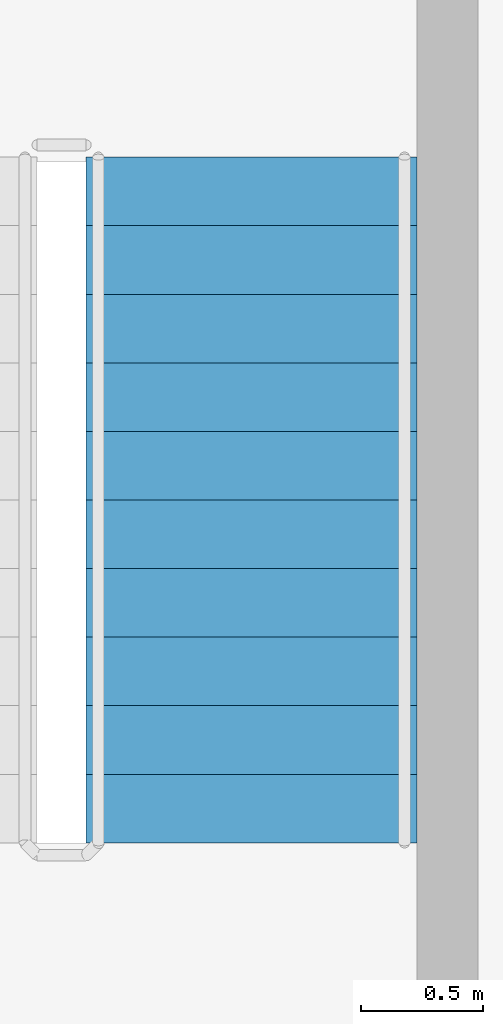
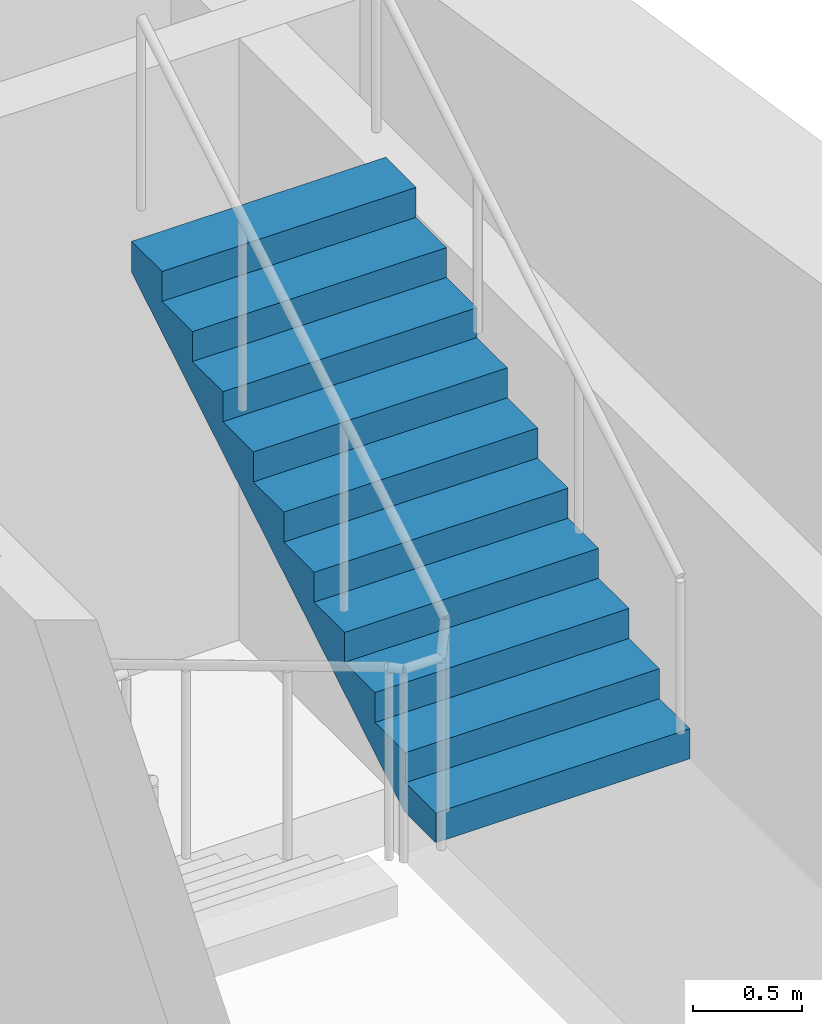
# One storey, part 7 of 13: 1 stair flight, 1 element without a shape of its own.
"""IFC4 building model written with IfcOpenShell, lengths in metres."""

from ifc_helpers import new_model, si_unit, direction, frame, origin, place, context, subcontext, project, spatial, polyline, outline, extrude, material, type_object, element, aggregate, save


model = new_model("IFC4")

# Units and contexts
model_context = context("Model", 3, precision=1e-05, world=origin(), true_north=direction((0.0, 1.0)))
body_context = subcontext(model_context, "Body", "Model", "MODEL_VIEW")
ifc_project = project(units=[si_unit("LENGTHUNIT", "METRE"), si_unit("AREAUNIT", "SQUARE_METRE"), si_unit("VOLUMEUNIT", "CUBIC_METRE"), si_unit("PLANEANGLEUNIT", "RADIAN"), si_unit("MASSUNIT", "GRAM", prefix="KILO")], contexts=[model_context])

# Site, building, storey
site_placement = place(None, origin())
site = spatial("IfcSite", under=ifc_project, at=site_placement, CompositionType="ELEMENT")
building_placement = place(site_placement, origin())
building = spatial("IfcBuilding", under=site, at=building_placement, Name="Candeia Pilgrim Tower and Theatre", CompositionType="ELEMENT")
storey_placement = place(building_placement, frame((0.0, 0.0, 262.699951171875)))
storey = spatial("IfcBuildingStorey", under=building, at=storey_placement, Name="L63", CompositionType="ELEMENT", Elevation=262.699951171875)

# Stair, stair flight
ifc_material = material(Name="Concrete C40/50", Category="concrete")
stair_type = type_object("IfcStairType", Name="ST-TWR dog-leg escape stair", PredefinedType="HALF_TURN_STAIR", material=ifc_material)
stair_placement = place(storey_placement, origin())
stair = element("IfcStair", 1, at=stair_placement, inside=storey, type_object=stair_type, Name="L63 Escape stair ST4", PredefinedType="HALF_TURN_STAIR")
stair_flight_type = type_object("IfcStairFlightType", Name="SFL-RC stair flight", PredefinedType="STRAIGHT", material=ifc_material)
stair_flight_placement = place(storey_placement, frame((136.322998046875, 126.925048828125, 1.85009765625), z_axis=(0.0, 0.0, 1.0), x_axis=(0.0, 1.0, 0.0)))
stair_flight = element("IfcStairFlight", 2, at=stair_flight_placement, type_object=stair_flight_type, Name="ST4 flight 2", NumberOfRisers=11, NumberOfTreads=10, PredefinedType="STRAIGHT", RiserHeight=0.168181818, TreadLength=0.28, context=body_context, shape_type="SweptSolid", body=[
    extrude(outline(polyline([(0.0, 0.0), (0.0, 0.168212890625), (0.280029296875, 0.168212890625), (0.280029296875, 0.33642578125), (0.56005859375, 0.33642578125), (0.56005859375, 0.504638671875), (0.840087890625, 0.504638671875), (0.840087890625, 0.672607421875), (1.1201171875, 0.672607421875), (1.1201171875, 0.8408203125), (1.39990234375, 0.8408203125), (1.39990234375, 1.009033203125), (1.679931640625, 1.009033203125), (1.679931640625, 1.17724609375), (1.9599609375, 1.17724609375), (1.9599609375, 1.345458984375), (2.239990234375, 1.345458984375), (2.239990234375, 1.513671875), (2.52001953125, 1.513671875), (2.52001953125, 1.681884765625), (2.800048828125, 1.681884765625), (2.800048828125, 1.85009765625), (2.800048828125, 1.5068359375), (0.291015625, 0.0), (0.0, 0.0)])), frame((0.0, 0.675048828125, 0.0), z_axis=(0.0, -1.0, 0.0), x_axis=(1.0, 0.0, 0.0)), (0.0, 0.0, 1.0), 1.35009765625),
])
aggregate(stair, [stair_flight])

save(model, "model.ifc")
